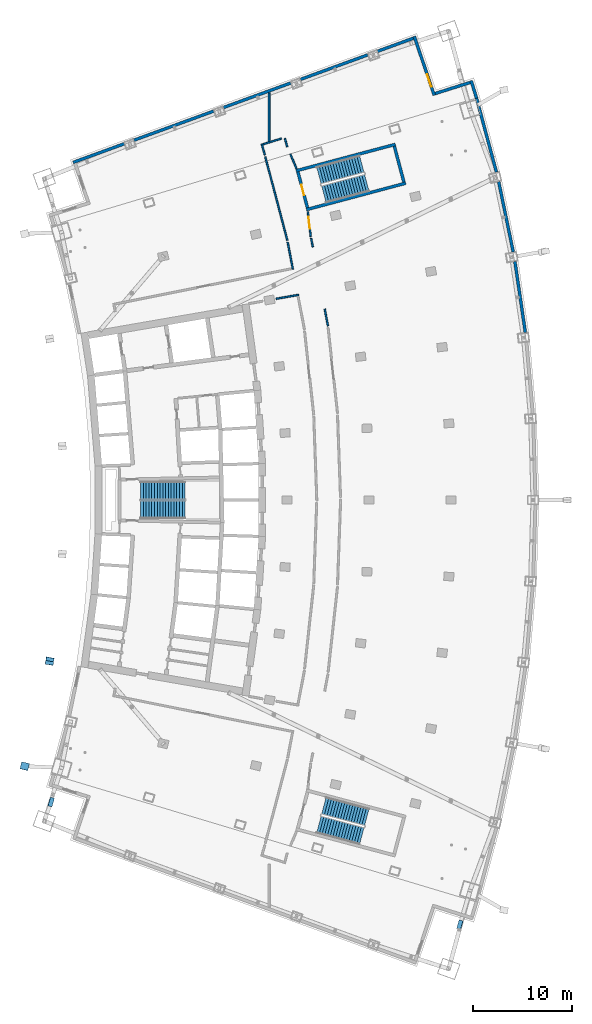
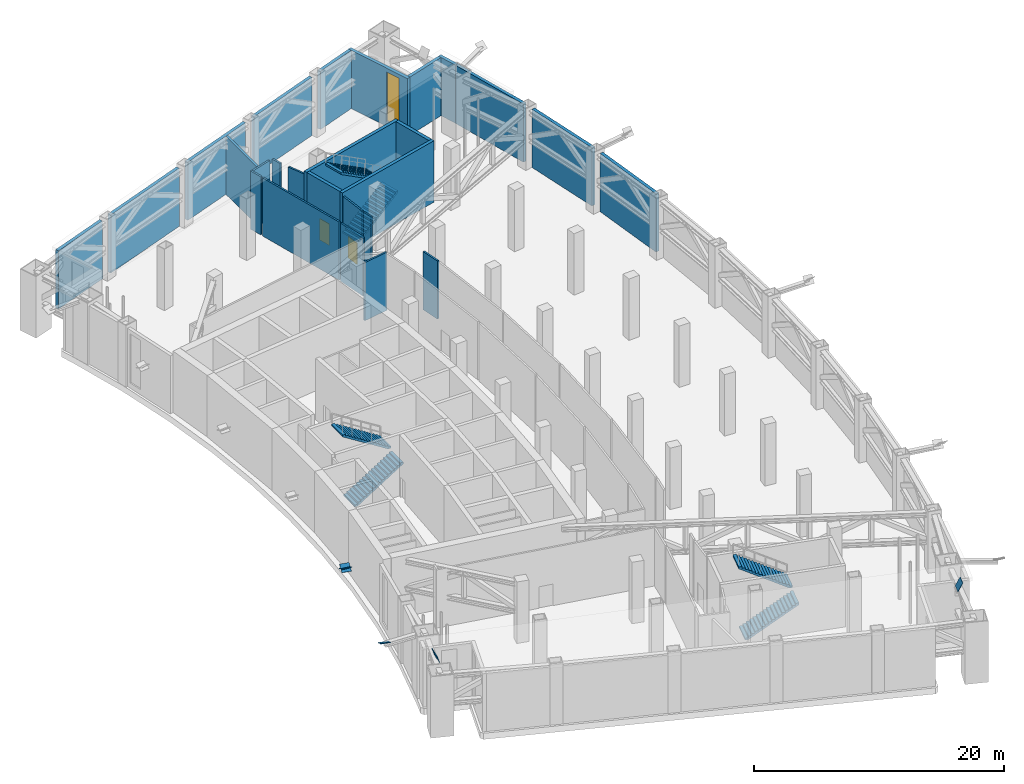
# One storey, part 19 of 26: 26 walls, 6 stair flights, 5 discrete accessories, 2 doors, 1 window, 3 openings, 3 elements without a shape of their own.
"""IFC4 building model written with IfcOpenShell, lengths in metres."""

from ifc_helpers import new_model, si_unit, direction, frame, frame_2d, origin, origin_2d, place, context, subcontext, project, spatial, polyline, rectangle, outline, extrude, material, layer, layer_set, material_profile, profile_set, type_object, element, fill, aggregate, save


model = new_model("IFC4")

# Units and contexts
model_context = context("Model", 3, precision=1e-05, world=origin(), true_north=direction((0.0, 1.0)))
body_context = subcontext(model_context, "Body", "Model", "MODEL_VIEW")
ifc_project = project(units=[si_unit("LENGTHUNIT", "METRE"), si_unit("AREAUNIT", "SQUARE_METRE"), si_unit("VOLUMEUNIT", "CUBIC_METRE"), si_unit("PLANEANGLEUNIT", "RADIAN"), si_unit("MASSUNIT", "GRAM", prefix="KILO")], contexts=[model_context])

# Site, building, storey
site_placement = place(None, origin())
site = spatial("IfcSite", under=ifc_project, at=site_placement, CompositionType="ELEMENT")
building_placement = place(site_placement, origin())
building = spatial("IfcBuilding", under=site, at=building_placement, Name="Alderwake Tower", CompositionType="ELEMENT")
storey_placement = place(building_placement, frame((0.0, 0.0, 132.800048828125)))
storey = spatial("IfcBuildingStorey", under=building, at=storey_placement, Name="L32", CompositionType="ELEMENT", Elevation=132.800048828125)

# Walls
ifc_material_1 = material(Name="Concrete C70/85", Category="concrete")
ifc_layer_1 = layer(ifc_material_1, 0.300048828125)
ifc_layer_set_1 = layer_set([ifc_layer_1], Name="Core wall stair enclosure 300 C70-85")
wall_type_1 = type_object("IfcWallType", Name="Core wall stair enclosure 300 C70-85", PredefinedType="SHEAR", material=ifc_layer_set_1)
for number, where, z_axis, x_axis, name in (
    (1, (36.71142578125, 94.182373046875, 0.0), (0.0, 0.0, 1.0), (0.966309214305, 0.257383958996, 0.0), "Core wall CW.082"),
    (2, (37.75390625, 90.268798828125, 0.0), (0.0, 0.0, 1.0), (0.966309214305, 0.257383958996, 0.0), "Core wall CW.084"),
):
    element("IfcWall", number, at=place(storey_placement, frame(where, z_axis=z_axis, x_axis=x_axis)), inside=storey, type_object=wall_type_1, Name=name, PredefinedType="SHEAR", context=body_context, shape_type="SweptSolid", body=[
        extrude(rectangle(XDim=10.360107421875, YDim=0.300048828125, at=frame_2d((5.18017578125, 0.0))), origin(), (0.0, 0.0, 1.0), 6.0),
    ])

# Wall, opening, door
wall_1_placement = place(storey_placement, frame((37.8603515625, 90.452392578125, 0.0), z_axis=(0.0, 0.0, 1.0), x_axis=(-0.257411420208, 0.966301899381, 0.0)))
wall_1 = element("IfcWall", 3, at=wall_1_placement, inside=storey, type_object=wall_type_1, Name="Core wall CW.083", PredefinedType="SHEAR", context=body_context, shape_type="SweptSolid", body=[
    extrude(rectangle(XDim=3.750244140625, YDim=0.300048828125, at=frame_2d((1.875, 0.0))), origin(), (0.0, 0.0, 1.0), 6.0),
])
opening_1_placement = place(wall_1_placement, frame((1.324951171875, 0.0, 0.0)))
opening_1 = element("IfcOpeningElement", 4, at=opening_1_placement, cuts=wall_1, Name="Opening C062", PredefinedType="OPENING", context=body_context, shape_type="SweptSolid", body=[
    extrude(rectangle(XDim=1.10009765625, YDim=2.10009765625, at=frame_2d((0.550048828125, 1.050048828125))), frame((0.0, 0.159912109375, 0.0), z_axis=(0.0, -1.0, 0.0), x_axis=(1.0, 0.0, 0.0)), (0.0, 0.0, 1.0), 0.320068359375),
])
ifc_material_2 = material(Name="Steel-framed fire door leaf", Category="steel")
door_type_1 = type_object("IfcDoorType", Name="Core stair door 1100 fire-rated", OperationType="SINGLE_SWING_LEFT", PredefinedType="DOOR", material=ifc_material_2)
door_1_placement = place(opening_1_placement, origin())
door_1 = element("IfcDoor", 5, at=door_1_placement, inside=storey, type_object=door_type_1, Name="Stair door", OperationType="SINGLE_SWING_RIGHT", OverallHeight=2.10009765625, OverallWidth=1.10009765625, PredefinedType="DOOR", context=body_context, shape_type="SweptSolid", body=[
    extrude(rectangle(XDim=1.10009765625, YDim=2.10009765625, at=frame_2d((0.550048828125, 1.050048828125))), frame((0.0, 0.02490234375, 0.0), z_axis=(0.0, -1.0, 0.0), x_axis=(1.0, 0.0, 0.0)), (0.0, 0.0, 1.0), 0.050048828125),
])
fill(opening_1, door_1)

# Walls
wall_2_placement = place(storey_placement, frame((47.581298828125, 93.041748046875, 0.0), z_axis=(0.0, 0.0, 1.0), x_axis=(-0.257366821694, 0.966313778796, 0.0)))
element("IfcWall", 6, at=wall_2_placement, inside=storey, type_object=wall_type_1, Name="Core wall CW.081", PredefinedType="SHEAR", context=body_context, shape_type="SweptSolid", body=[
    extrude(rectangle(XDim=3.749755859375, YDim=0.300048828125, at=frame_2d((1.875, 0.0))), origin(), (0.0, 0.0, 1.0), 6.0),
])
ifc_material_3 = material(Name="Gypsum board on metal studs, rated")
ifc_layer_2 = layer(ifc_material_3, 0.159912109375)
ifc_layer_set_2 = layer_set([ifc_layer_2], Name="Corridor wall 160")
wall_type_2 = type_object("IfcWallType", Name="Corridor wall 160", PredefinedType="PARTITIONING", material=ifc_layer_set_2)
wall_3_placement = place(storey_placement, frame((34.700927734375, 81.280029296875, 0.0), z_axis=(0.0, 0.0, 1.0), x_axis=(0.984741818636, 0.17402169586, 0.0)))
element("IfcWall", 7, at=wall_3_placement, inside=storey, type_object=wall_type_2, Name="WL/L32/W42", PredefinedType="PARTITIONING", context=body_context, shape_type="SweptSolid", body=[
    extrude(rectangle(XDim=2.298095703125, YDim=0.159912109375, at=frame_2d((1.14892578125, 0.0))), origin(), (0.0, 0.0, 1.0), 5.679931640625),
])
wall_4_placement = place(storey_placement, frame((33.251708984375, 96.89306640625, 0.0), z_axis=(0.0, 0.0, 1.0), x_axis=(0.265044741696, -0.964236114704, 0.0)))
element("IfcWall", 8, at=wall_4_placement, inside=storey, type_object=wall_type_2, Name="WL/L32/W09", PredefinedType="PARTITIONING", context=body_context, shape_type="SweptSolid", body=[
    extrude(rectangle(XDim=1.16796875, YDim=0.159912109375, at=frame_2d((0.583984375, 0.0))), origin(), (0.0, 0.0, 1.0), 5.679931640625),
])
wall_5_placement = place(storey_placement, frame((33.608154296875, 95.586181640625, 0.0), z_axis=(0.0, 0.0, 1.0), x_axis=(0.255868652374, -0.966711556118, 0.0)))
element("IfcWall", 9, at=wall_5_placement, inside=storey, type_object=wall_type_2, Name="WL/L32/W11", PredefinedType="PARTITIONING", context=body_context, shape_type="SweptSolid", body=[
    extrude(rectangle(XDim=8.700927734375, YDim=0.159912109375, at=frame_2d((4.3505859375, 0.0))), origin(), (0.0, 0.0, 1.0), 5.679931640625),
])
wall_6_placement = place(storey_placement, frame((35.244140625, 97.438720703125, 0.0), z_axis=(0.0, 0.0, 1.0), x_axis=(-0.953541805097, -0.301260727496, 0.0)))
element("IfcWall", 10, at=wall_6_placement, inside=storey, type_object=wall_type_2, Name="WL/L32/W13", PredefinedType="PARTITIONING", context=body_context, shape_type="SweptSolid", body=[
    extrude(rectangle(XDim=1.987060546875, YDim=0.159912109375, at=frame_2d((0.99365234375, 0.0))), origin(), (0.0, 0.0, 1.0), 5.679931640625),
])
wall_7_placement = place(storey_placement, frame((35.588623046875, 97.4423828125, 0.0), z_axis=(0.0, 0.0, 1.0), x_axis=(0.266369691689, -0.963870939156, 0.0)))
element("IfcWall", 11, at=wall_7_placement, inside=storey, type_object=wall_type_2, Name="WL/L32/W15", PredefinedType="PARTITIONING", context=body_context, shape_type="SweptSolid", body=[
    extrude(rectangle(XDim=0.869873046875, YDim=0.159912109375, at=frame_2d((0.43505859375, 0.0))), origin(), (0.0, 0.0, 1.0), 5.679931640625),
])
wall_8_placement = place(storey_placement, frame((36.1328125, 95.881103515625, 0.0), z_axis=(0.0, 0.0, 1.0), x_axis=(0.385363055582, -0.92276503802, 0.0)))
element("IfcWall", 12, at=wall_8_placement, inside=storey, type_object=wall_type_2, Name="WL/L32/W17", PredefinedType="PARTITIONING", context=body_context, shape_type="SweptSolid", body=[
    extrude(rectangle(XDim=1.64599609375, YDim=0.159912109375, at=frame_2d((0.822998046875, 0.0))), origin(), (0.0, 0.0, 1.0), 5.679931640625),
])
wall_9_placement = place(storey_placement, frame((35.8642578125, 86.989990234375, 0.0), z_axis=(0.0, 0.0, 1.0), x_axis=(0.188364648959, -0.982099159465, 0.0)))
element("IfcWall", 13, at=wall_9_placement, inside=storey, type_object=wall_type_2, Name="WL/L32/W19", PredefinedType="PARTITIONING", context=body_context, shape_type="SweptSolid", body=[
    extrude(rectangle(XDim=2.7763671875, YDim=0.159912109375, at=frame_2d((1.38818359375, 0.0))), origin(), (0.0, 0.0, 1.0), 5.679931640625),
])

# Wall, opening, door
wall_10_placement = place(storey_placement, frame((38.190185546875, 87.5595703125, 0.0), z_axis=(0.0, 0.0, 1.0), x_axis=(-0.115075180551, 0.99335678526, 0.0)))
wall_10 = element("IfcWall", 14, at=wall_10_placement, inside=storey, type_object=wall_type_2, Name="WL/L32/W31", PredefinedType="PARTITIONING", context=body_context, shape_type="SweptSolid", body=[
    extrude(rectangle(XDim=2.52685546875, YDim=0.159912109375, at=frame_2d((1.263427734375, 0.0))), origin(), (0.0, 0.0, 1.0), 5.679931640625),
])
opening_2_placement = place(wall_10_placement, frame((0.78125, 0.0, 0.0)))
opening_2 = element("IfcOpeningElement", 15, at=opening_2_placement, cuts=wall_10, Name="Opening L32-02", PredefinedType="OPENING", context=body_context, shape_type="SweptSolid", body=[
    extrude(rectangle(XDim=1.199951171875, YDim=2.10009765625, at=frame_2d((0.60009765625, 1.050048828125))), frame((0.0, 0.08984375, 0.0), z_axis=(0.0, -1.0, 0.0), x_axis=(1.0, 0.0, 0.0)), (0.0, 0.0, 1.0), 0.179931640625),
])
ifc_material_4 = material(Name="Steel door leaf in steel frame", Category="steel")
door_type_2 = type_object("IfcDoorType", Name="Plant room door 1200 steel", OperationType="SINGLE_SWING_LEFT", PredefinedType="DOOR", material=ifc_material_4)
door_2_placement = place(opening_2_placement, origin())
door_2 = element("IfcDoor", 16, at=door_2_placement, inside=storey, type_object=door_type_2, Name="DR/L32/02", OperationType="SINGLE_SWING_LEFT", OverallHeight=2.10009765625, OverallWidth=1.199951171875, PredefinedType="DOOR", context=body_context, shape_type="SweptSolid", body=[
    extrude(rectangle(XDim=1.199951171875, YDim=2.10009765625, at=frame_2d((0.60009765625, 1.050048828125))), frame((0.0, 0.02490234375, 0.0), z_axis=(0.0, -1.0, 0.0), x_axis=(1.0, 0.0, 0.0)), (0.0, 0.0, 1.0), 0.050048828125),
])
fill(opening_2, door_2)

# Walls
wall_11_placement = place(storey_placement, frame((38.39990234375, 86.4990234375, 0.0), z_axis=(0.0, 0.0, 1.0), x_axis=(-0.188654992631, 0.982043427632, 0.0)))
element("IfcWall", 17, at=wall_11_placement, inside=storey, type_object=wall_type_2, Name="WL/L32/W32", PredefinedType="PARTITIONING", context=body_context, shape_type="SweptSolid", body=[
    extrude(rectangle(XDim=0.894287109375, YDim=0.159912109375, at=frame_2d((0.447265625, 0.0))), origin(), (0.0, 0.0, 1.0), 5.679931640625),
])
wall_12_placement = place(storey_placement, frame((39.927001953125, 78.533447265625, 0.0), z_axis=(0.0, 0.0, 1.0), x_axis=(-0.187080006691, 0.982344680393, 0.0)))
element("IfcWall", 18, at=wall_12_placement, inside=storey, type_object=wall_type_2, Name="WL/L32/W38", PredefinedType="PARTITIONING", context=body_context, shape_type="SweptSolid", body=[
    extrude(rectangle(XDim=1.747314453125, YDim=0.159912109375, at=frame_2d((0.87353515625, 0.0))), origin(), (0.0, 0.0, 1.0), 5.679931640625),
])
ifc_material_5 = material(Name="Bronze metal cladding on lightweight framing")
ifc_layer_3 = layer(ifc_material_5, 0.300048828125)
ifc_layer_set_3 = layer_set([ifc_layer_3], Name="External wall EW3 plant enclosure")
wall_type_3 = type_object("IfcWallType", Name="External wall EW3 plant enclosure", PredefinedType="SOLIDWALL", material=ifc_layer_set_3)
for number, where, z_axis, x_axis, name in (
    (19, (59.820068359375, 77.888916015625, 0.0), (0.0, 0.0, 1.0), (-0.145322588421, 0.989384326384, 0.0), "External wall 19"),
    (20, (58.59765625, 86.01171875, 0.0), (0.0, 0.0, 1.0), (-0.202759964429, 0.979228470187, 0.0), "External wall 20"),
):
    element("IfcWall", number, at=place(storey_placement, frame(where, z_axis=z_axis, x_axis=x_axis)), inside=storey, type_object=wall_type_3, Name=name, PredefinedType="SOLIDWALL", context=body_context, shape_type="SweptSolid", body=[
        extrude(rectangle(XDim=7.21728515625, YDim=0.300048828125, at=frame_2d((3.608642578125, 0.0))), origin(), (0.0, 0.0, 1.0), 5.679931640625),
    ])
wall_13_placement = place(storey_placement, frame((56.90380859375, 94.04931640625, 0.0), z_axis=(0.0, 0.0, 1.0), x_axis=(-0.259520802976, 0.96573751756, 0.0)))
element("IfcWall", 21, at=wall_13_placement, inside=storey, type_object=wall_type_3, Name="External wall 21", PredefinedType="SOLIDWALL", context=body_context, shape_type="SweptSolid", body=[
    extrude(rectangle(XDim=7.7177734375, YDim=0.300048828125, at=frame_2d((3.85888671875, 0.0))), origin(), (0.0, 0.0, 1.0), 5.679931640625),
])
wall_14_placement = place(storey_placement, frame((54.9013671875, 101.5009765625, 0.0), z_axis=(0.0, 0.0, 1.0), x_axis=(-0.294502121104, 0.955650825702, 0.0)))
element("IfcWall", 22, at=wall_14_placement, inside=storey, type_object=wall_type_3, Name="External wall 22", PredefinedType="SOLIDWALL", context=body_context, shape_type="SweptSolid", body=[
    extrude(rectangle(XDim=1.8544921875, YDim=0.300048828125, at=frame_2d((0.92724609375, 0.0))), origin(), (0.0, 0.0, 1.0), 5.679931640625),
])
wall_15_placement = place(storey_placement, frame((54.25634765625, 103.08447265625, 0.0), z_axis=(0.0, 0.0, 1.0), x_axis=(-0.953466730622, -0.301498248083, 0.0)))
element("IfcWall", 23, at=wall_15_placement, inside=storey, type_object=wall_type_3, Name="External wall 23", PredefinedType="SOLIDWALL", context=body_context, shape_type="SweptSolid", body=[
    extrude(rectangle(XDim=3.694091796875, YDim=0.300048828125, at=frame_2d((1.84716796875, 0.0))), origin(), (0.0, 0.0, 1.0), 5.679931640625),
])

# Wall, opening, window
wall_16_placement = place(storey_placement, frame((50.63916015625, 101.783447265625, 0.0), z_axis=(0.0, 0.0, 1.0), x_axis=(-0.320895814133, 0.947114500191, 0.0)))
wall_16 = element("IfcWall", 24, at=wall_16_placement, inside=storey, type_object=wall_type_3, Name="External wall 24", PredefinedType="SOLIDWALL", context=body_context, shape_type="SweptSolid", body=[
    extrude(rectangle(XDim=6.28662109375, YDim=0.300048828125, at=frame_2d((3.143310546875, 0.0))), origin(), (0.0, 0.0, 1.0), 5.679931640625),
])
opening_3_placement = place(wall_16_placement, frame((0.921630859375, 0.0, 0.5)))
opening_3 = element("IfcOpeningElement", 25, at=opening_3_placement, cuts=wall_16, Name="Opening LV1", PredefinedType="OPENING", context=body_context, shape_type="SweptSolid", body=[
    extrude(rectangle(XDim=1.300048828125, YDim=4.800048828125, at=frame_2d((0.64990234375, 2.39990234375))), frame((0.0, 0.159912109375, 0.0), z_axis=(0.0, -1.0, 0.0), x_axis=(1.0, 0.0, 0.0)), (0.0, 0.0, 1.0), 0.320068359375),
])
ifc_material_6 = material(Name="Bronze anodised aluminium louvre", Category="aluminium")
window_type = type_object("IfcWindowType", Name="Louvre LV1 plant floor", PartitioningType="SINGLE_PANEL", PredefinedType="USERDEFINED", material=ifc_material_6)
window_placement = place(opening_3_placement, origin())
window = element("IfcWindow", 26, at=window_placement, inside=storey, type_object=window_type, Name="Louvre LV1 plant floor", ObjectType="LOUVRE", OverallHeight=4.800048828125, OverallWidth=1.300048828125, PartitioningType="SINGLE_PANEL", PredefinedType="USERDEFINED", context=body_context, shape_type="SweptSolid", body=[
    extrude(rectangle(XDim=1.300048828125, YDim=4.800048828125, at=frame_2d((0.64990234375, 2.39990234375))), frame((0.0, 0.030029296875, 0.0), z_axis=(0.0, -1.0, 0.0), x_axis=(1.0, 0.0, 0.0)), (0.0, 0.0, 1.0), 0.06005859375),
])
fill(opening_3, window)

# Walls
wall_17_placement = place(storey_placement, frame((48.529052734375, 107.544189453125, 0.0), z_axis=(0.0, 0.0, 1.0), x_axis=(-0.939372933228, -0.342897203718, 0.0)))
element("IfcWall", 27, at=wall_17_placement, inside=storey, type_object=wall_type_3, Name="External wall 25", PredefinedType="SOLIDWALL", context=body_context, shape_type="SweptSolid", body=[
    extrude(rectangle(XDim=3.837646484375, YDim=0.300048828125, at=frame_2d((1.9189453125, 0.0))), origin(), (0.0, 0.0, 1.0), 5.679931640625),
])
for number, where, z_axis, x_axis, name in (
    (28, (43.93408203125, 105.866943359375, 0.0), (0.0, 0.0, 1.0), (-0.939364762064, -0.342919587939, 0.0), "External wall 26"),
    (29, (36.16845703125, 103.0322265625, 0.0), (0.0, 0.0, 1.0), (-0.939375665231, -0.342889719256, 0.0), "External wall 27"),
):
    element("IfcWall", number, at=place(storey_placement, frame(where, z_axis=z_axis, x_axis=x_axis)), inside=storey, type_object=wall_type_3, Name=name, PredefinedType="SOLIDWALL", context=body_context, shape_type="SweptSolid", body=[
        extrude(rectangle(XDim=7.212646484375, YDim=0.300048828125, at=frame_2d((3.6064453125, 0.0))), origin(), (0.0, 0.0, 1.0), 5.679931640625),
    ])
wall_18_placement = place(storey_placement, frame((28.402587890625, 100.197509765625, 0.0), z_axis=(0.0, 0.0, 1.0), x_axis=(-0.939364770023, -0.342919566137, 0.0)))
element("IfcWall", 30, at=wall_18_placement, inside=storey, type_object=wall_type_3, Name="External wall 28", PredefinedType="SOLIDWALL", context=body_context, shape_type="SweptSolid", body=[
    extrude(rectangle(XDim=8.54541015625, YDim=0.300048828125, at=frame_2d((4.272705078125, 0.0))), origin(), (0.0, 0.0, 1.0), 5.679931640625),
])
wall_19_placement = place(storey_placement, frame((19.38427734375, 96.905517578125, 0.0), z_axis=(0.0, 0.0, 1.0), x_axis=(-0.939366897407, -0.342913738506, 0.0)))
element("IfcWall", 31, at=wall_19_placement, inside=storey, type_object=wall_type_3, Name="External wall 29", PredefinedType="SOLIDWALL", context=body_context, shape_type="SweptSolid", body=[
    extrude(rectangle(XDim=5.474365234375, YDim=0.300048828125, at=frame_2d((2.7373046875, 0.0))), origin(), (0.0, 0.0, 1.0), 5.679931640625),
])
ifc_material_7 = material(Name="Dense block masonry wall", Category="masonry")
ifc_layer_4 = layer(ifc_material_7, 0.199951171875)
ifc_layer_set_4 = layer_set([ifc_layer_4], Name="Party wall 200")
wall_type_4 = type_object("IfcWallType", Name="Party wall 200", PredefinedType="SOLIDWALL", material=ifc_layer_set_4)
wall_20_placement = place(storey_placement, frame((33.9990234375, 102.051025390625, 0.0), z_axis=(0.0, 0.0, 1.0), x_axis=(0.0, -1.0, 0.0)))
element("IfcWall", 32, at=wall_20_placement, inside=storey, type_object=wall_type_4, Name="WL/L32/W03", PredefinedType="SOLIDWALL", context=body_context, shape_type="SweptSolid", body=[
    extrude(rectangle(XDim=4.899169921875, YDim=0.199951171875, at=frame_2d((2.44970703125, 0.0))), origin(), (0.0, 0.0, 1.0), 5.679931640625),
])

# Stair, stair flights
ifc_material_8 = material(Name="Concrete C40/50", Category="concrete")
stair_type = type_object("IfcStairType", Name="Core exit stair", PredefinedType="HALF_TURN_STAIR", material=ifc_material_8)
stair_1_placement = place(storey_placement, origin())
stair_1 = element("IfcStair", 33, at=stair_1_placement, inside=storey, type_object=stair_type, Name="L32 Exit Stair B", PredefinedType="HALF_TURN_STAIR")
ifc_material_9 = material(Name="Concrete C40/50", Category="concrete")
ifc_layer_5 = layer(ifc_material_9, 0.14990234375)
ifc_layer_set_5 = layer_set([ifc_layer_5], Name="Core stair flight")
stair_flight_type = type_object("IfcStairFlightType", Name="Core stair flight", PredefinedType="STRAIGHT", material=ifc_layer_set_5)
stair_flight_1_placement = place(storey_placement, frame((21.0400390625, 60.02490234375, 0.0), z_axis=(0.0, 0.0, 1.0), x_axis=(1.0, 0.0, 0.0)))
stair_flight_1 = element("IfcStairFlight", 34, at=stair_flight_1_placement, type_object=stair_flight_type, Name="ST-B flight 1", NumberOfRisers=17, NumberOfTreads=16, PredefinedType="STRAIGHT", RiserHeight=0.176470588, TreadLength=0.28, context=body_context, shape_type="SweptSolid", body=[
    extrude(outline(polyline([(0.0, 0.0), (0.0, 0.176513671875), (0.280029296875, 0.176513671875), (0.280029296875, 0.35302734375), (0.56005859375, 0.35302734375), (0.56005859375, 0.529296875), (0.840087890625, 0.529296875), (0.840087890625, 0.705810546875), (1.1201171875, 0.705810546875), (1.1201171875, 0.88232421875), (1.39990234375, 0.88232421875), (1.39990234375, 1.058837890625), (1.679931640625, 1.058837890625), (1.679931640625, 1.2353515625), (1.9599609375, 1.2353515625), (1.9599609375, 1.411865234375), (2.239990234375, 1.411865234375), (2.239990234375, 1.588134765625), (2.52001953125, 1.588134765625), (2.52001953125, 1.7646484375), (2.800048828125, 1.7646484375), (2.800048828125, 1.941162109375), (3.080078125, 1.941162109375), (3.080078125, 2.11767578125), (3.360107421875, 2.11767578125), (3.360107421875, 2.294189453125), (3.639892578125, 2.294189453125), (3.639892578125, 2.470703125), (3.919921875, 2.470703125), (3.919921875, 2.64697265625), (4.199951171875, 2.64697265625), (4.199951171875, 2.823486328125), (4.47998046875, 2.823486328125), (4.47998046875, 3.0), (4.47998046875, 2.646240234375), (0.28125, 0.0), (0.0, 0.0)])), frame((0.0, 0.89990234375, 0.0), z_axis=(0.0, -1.0, 0.0), x_axis=(1.0, 0.0, 0.0)), (0.0, 0.0, 1.0), 1.800048828125),
])
stair_flight_2_placement = place(storey_placement, frame((25.52001953125, 61.97509765625, 3.0), z_axis=(0.0, 0.0, 1.0), x_axis=(-1.0, 0.0, 0.0)))
stair_flight_2 = element("IfcStairFlight", 35, at=stair_flight_2_placement, type_object=stair_flight_type, Name="ST-B flight 2", NumberOfRisers=17, NumberOfTreads=16, PredefinedType="STRAIGHT", RiserHeight=0.176470588, TreadLength=0.28, context=body_context, shape_type="SweptSolid", body=[
    extrude(outline(polyline([(0.0, 0.0), (0.0, 0.176513671875), (0.280029296875, 0.176513671875), (0.280029296875, 0.35302734375), (0.56005859375, 0.35302734375), (0.56005859375, 0.529296875), (0.840087890625, 0.529296875), (0.840087890625, 0.705810546875), (1.1201171875, 0.705810546875), (1.1201171875, 0.88232421875), (1.39990234375, 0.88232421875), (1.39990234375, 1.058837890625), (1.679931640625, 1.058837890625), (1.679931640625, 1.2353515625), (1.9599609375, 1.2353515625), (1.9599609375, 1.411865234375), (2.239990234375, 1.411865234375), (2.239990234375, 1.588134765625), (2.52001953125, 1.588134765625), (2.52001953125, 1.7646484375), (2.800048828125, 1.7646484375), (2.800048828125, 1.941162109375), (3.080078125, 1.941162109375), (3.080078125, 2.11767578125), (3.360107421875, 2.11767578125), (3.360107421875, 2.294189453125), (3.639892578125, 2.294189453125), (3.639892578125, 2.470703125), (3.919921875, 2.470703125), (3.919921875, 2.64697265625), (4.199951171875, 2.64697265625), (4.199951171875, 2.823486328125), (4.47998046875, 2.823486328125), (4.47998046875, 3.0), (4.47998046875, 2.646240234375), (0.28125, 0.0), (0.0, 0.0)])), frame((0.0, 0.89990234375, 0.0), z_axis=(0.0, -1.0, 0.0), x_axis=(1.0, 0.0, 0.0)), (0.0, 0.0, 1.0), 1.800048828125),
])
aggregate(stair_1, [stair_flight_1, stair_flight_2])

stair_2_placement = place(storey_placement, origin())
stair_2 = element("IfcStair", 36, at=stair_2_placement, inside=storey, type_object=stair_type, Name="L32 Exit Stair A", PredefinedType="HALF_TURN_STAIR")
stair_flight_3_placement = place(storey_placement, frame((39.512939453125, 91.823974609375, 0.0), z_axis=(0.0, 0.0, 1.0), x_axis=(0.966309627437, 0.257382407951, 0.0)))
stair_flight_3 = element("IfcStairFlight", 37, at=stair_flight_3_placement, type_object=stair_flight_type, Name="ST-A flight 1", NumberOfRisers=17, NumberOfTreads=16, PredefinedType="STRAIGHT", RiserHeight=0.176470588, TreadLength=0.28, context=body_context, shape_type="SweptSolid", body=[
    extrude(outline(polyline([(0.0, 0.0), (0.0, 0.176513671875), (0.280029296875, 0.176513671875), (0.280029296875, 0.35302734375), (0.56005859375, 0.35302734375), (0.56005859375, 0.529296875), (0.840087890625, 0.529296875), (0.840087890625, 0.705810546875), (1.1201171875, 0.705810546875), (1.1201171875, 0.88232421875), (1.39990234375, 0.88232421875), (1.39990234375, 1.058837890625), (1.679931640625, 1.058837890625), (1.679931640625, 1.2353515625), (1.9599609375, 1.2353515625), (1.9599609375, 1.411865234375), (2.239990234375, 1.411865234375), (2.239990234375, 1.588134765625), (2.52001953125, 1.588134765625), (2.52001953125, 1.7646484375), (2.800048828125, 1.7646484375), (2.800048828125, 1.941162109375), (3.080078125, 1.941162109375), (3.080078125, 2.11767578125), (3.360107421875, 2.11767578125), (3.360107421875, 2.294189453125), (3.639892578125, 2.294189453125), (3.639892578125, 2.470703125), (3.919921875, 2.470703125), (3.919921875, 2.64697265625), (4.199951171875, 2.64697265625), (4.199951171875, 2.823486328125), (4.47998046875, 2.823486328125), (4.47998046875, 3.0), (4.47998046875, 2.646240234375), (0.28125, 0.0), (0.0, 0.0)])), frame((0.0, 0.89990234375, 0.0), z_axis=(0.0, -1.0, 0.0), x_axis=(1.0, 0.0, 0.0)), (0.0, 0.0, 1.0), 1.800048828125),
])
stair_flight_4_placement = place(storey_placement, frame((43.340087890625, 94.861328125, 3.0), z_axis=(0.0, 0.0, 1.0), x_axis=(-0.966309627437, -0.257382407951, 0.0)))
stair_flight_4 = element("IfcStairFlight", 38, at=stair_flight_4_placement, type_object=stair_flight_type, Name="ST-A flight 2", NumberOfRisers=17, NumberOfTreads=16, PredefinedType="STRAIGHT", RiserHeight=0.176470588, TreadLength=0.28, context=body_context, shape_type="SweptSolid", body=[
    extrude(outline(polyline([(0.0, 0.0), (0.0, 0.176513671875), (0.280029296875, 0.176513671875), (0.280029296875, 0.35302734375), (0.56005859375, 0.35302734375), (0.56005859375, 0.529296875), (0.840087890625, 0.529296875), (0.840087890625, 0.705810546875), (1.1201171875, 0.705810546875), (1.1201171875, 0.88232421875), (1.39990234375, 0.88232421875), (1.39990234375, 1.058837890625), (1.679931640625, 1.058837890625), (1.679931640625, 1.2353515625), (1.9599609375, 1.2353515625), (1.9599609375, 1.411865234375), (2.239990234375, 1.411865234375), (2.239990234375, 1.588134765625), (2.52001953125, 1.588134765625), (2.52001953125, 1.7646484375), (2.800048828125, 1.7646484375), (2.800048828125, 1.941162109375), (3.080078125, 1.941162109375), (3.080078125, 2.11767578125), (3.360107421875, 2.11767578125), (3.360107421875, 2.294189453125), (3.639892578125, 2.294189453125), (3.639892578125, 2.470703125), (3.919921875, 2.470703125), (3.919921875, 2.64697265625), (4.199951171875, 2.64697265625), (4.199951171875, 2.823486328125), (4.47998046875, 2.823486328125), (4.47998046875, 3.0), (4.47998046875, 2.646240234375), (0.28125, 0.0), (0.0, 0.0)])), frame((0.0, 0.89990234375, 0.0), z_axis=(0.0, -1.0, 0.0), x_axis=(1.0, 0.0, 0.0)), (0.0, 0.0, 1.0), 1.800048828125),
])
aggregate(stair_2, [stair_flight_3, stair_flight_4])

stair_3_placement = place(storey_placement, origin())
stair_3 = element("IfcStair", 39, at=stair_3_placement, inside=storey, type_object=stair_type, Name="L32 Exit Stair C", PredefinedType="HALF_TURN_STAIR")
stair_flight_5_placement = place(storey_placement, frame((39.010986328125, 28.291748046875, 0.0), z_axis=(0.0, 0.0, 1.0), x_axis=(0.966309627437, -0.257382407951, 0.0)))
stair_flight_5 = element("IfcStairFlight", 40, at=stair_flight_5_placement, type_object=stair_flight_type, Name="ST-C flight 1", NumberOfRisers=17, NumberOfTreads=16, PredefinedType="STRAIGHT", RiserHeight=0.176470588, TreadLength=0.28, context=body_context, shape_type="SweptSolid", body=[
    extrude(outline(polyline([(0.0, 0.0), (0.0, 0.176513671875), (0.280029296875, 0.176513671875), (0.280029296875, 0.35302734375), (0.56005859375, 0.35302734375), (0.56005859375, 0.529296875), (0.840087890625, 0.529296875), (0.840087890625, 0.705810546875), (1.1201171875, 0.705810546875), (1.1201171875, 0.88232421875), (1.39990234375, 0.88232421875), (1.39990234375, 1.058837890625), (1.679931640625, 1.058837890625), (1.679931640625, 1.2353515625), (1.9599609375, 1.2353515625), (1.9599609375, 1.411865234375), (2.239990234375, 1.411865234375), (2.239990234375, 1.588134765625), (2.52001953125, 1.588134765625), (2.52001953125, 1.7646484375), (2.800048828125, 1.7646484375), (2.800048828125, 1.941162109375), (3.080078125, 1.941162109375), (3.080078125, 2.11767578125), (3.360107421875, 2.11767578125), (3.360107421875, 2.294189453125), (3.639892578125, 2.294189453125), (3.639892578125, 2.470703125), (3.919921875, 2.470703125), (3.919921875, 2.64697265625), (4.199951171875, 2.64697265625), (4.199951171875, 2.823486328125), (4.47998046875, 2.823486328125), (4.47998046875, 3.0), (4.47998046875, 2.646240234375), (0.28125, 0.0), (0.0, 0.0)])), frame((0.0, 0.89990234375, 0.0), z_axis=(0.0, -1.0, 0.0), x_axis=(1.0, 0.0, 0.0)), (0.0, 0.0, 1.0), 1.800048828125),
])
stair_flight_6_placement = place(storey_placement, frame((43.842041015625, 29.02294921875, 3.0), z_axis=(0.0, 0.0, 1.0), x_axis=(-0.966309627437, 0.257382407951, 0.0)))
stair_flight_6 = element("IfcStairFlight", 41, at=stair_flight_6_placement, type_object=stair_flight_type, Name="ST-C flight 2", NumberOfRisers=17, NumberOfTreads=16, PredefinedType="STRAIGHT", RiserHeight=0.176470588, TreadLength=0.28, context=body_context, shape_type="SweptSolid", body=[
    extrude(outline(polyline([(0.0, 0.0), (0.0, 0.176513671875), (0.280029296875, 0.176513671875), (0.280029296875, 0.35302734375), (0.56005859375, 0.35302734375), (0.56005859375, 0.529296875), (0.840087890625, 0.529296875), (0.840087890625, 0.705810546875), (1.1201171875, 0.705810546875), (1.1201171875, 0.88232421875), (1.39990234375, 0.88232421875), (1.39990234375, 1.058837890625), (1.679931640625, 1.058837890625), (1.679931640625, 1.2353515625), (1.9599609375, 1.2353515625), (1.9599609375, 1.411865234375), (2.239990234375, 1.411865234375), (2.239990234375, 1.588134765625), (2.52001953125, 1.588134765625), (2.52001953125, 1.7646484375), (2.800048828125, 1.7646484375), (2.800048828125, 1.941162109375), (3.080078125, 1.941162109375), (3.080078125, 2.11767578125), (3.360107421875, 2.11767578125), (3.360107421875, 2.294189453125), (3.639892578125, 2.294189453125), (3.639892578125, 2.470703125), (3.919921875, 2.470703125), (3.919921875, 2.64697265625), (4.199951171875, 2.64697265625), (4.199951171875, 2.823486328125), (4.47998046875, 2.823486328125), (4.47998046875, 3.0), (4.47998046875, 2.646240234375), (0.28125, 0.0), (0.0, 0.0)])), frame((0.0, 0.89990234375, 0.0), z_axis=(0.0, -1.0, 0.0), x_axis=(1.0, 0.0, 0.0)), (0.0, 0.0, 1.0), 1.800048828125),
])
aggregate(stair_3, [stair_flight_5, stair_flight_6])

# Discrete accessories
ifc_material_10 = material(Name="Steel ASTM A572 Grade 50", Category="steel")
ifc_material_profile_1 = material_profile(ifc_material_10, rectangle(XDim=0.800048828125, YDim=0.800048828125, at=origin_2d()), Name="BOX 800X800X50 cap")
ifc_profile_set_1 = profile_set([ifc_material_profile_1], Name="Steel ASTM A572 Grade 50")
discrete_accessory_type_1 = type_object("IfcDiscreteAccessoryType", Name="End cap plate BOX 800X800X50", PredefinedType="USERDEFINED", material=ifc_profile_set_1)
for number, where, z_axis, x_axis, name in (
    (42, (9.359619140625, 34.171630859375, 6.0), (-0.105869651339, -0.43162242469, -0.895820126716), (0.971210844098, -0.238221527798, 0.0), "End cap BRR3.1.2A S"),
    (43, (11.875, 44.755615234375, 6.0), (0.105495990526, 0.438214114494, -0.892658381376), (-0.972223637158, 0.234053838575, 0.0), "End cap BRR3.1.2B1 S"),
    (44, (11.875, 44.755615234375, 6.0), (-0.056826119483, -0.446490938798, -0.892981877596), (0.991997911724, -0.126254279674, 0.0), "End cap BRR3.1.4A S"),
):
    element("IfcDiscreteAccessory", number, at=place(storey_placement, frame(where, z_axis=z_axis, x_axis=x_axis)), inside=storey, type_object=discrete_accessory_type_1, Name=name, ObjectType="END CAP", PredefinedType="USERDEFINED", context=body_context, shape_type="SweptSolid", body=[
        extrude(rectangle(XDim=0.800048828125, YDim=0.800048828125, at=origin_2d()), origin(), (0.0, 0.0, 1.0), 0.030029296875),
    ])
ifc_material_11 = material(Name="Steel ASTM A572 Grade 50", Category="steel")
ifc_material_profile_2 = material_profile(ifc_material_11, rectangle(XDim=0.89990234375, YDim=0.89990234375, at=origin_2d()), Name="BOX 900X900X55 cap")
ifc_profile_set_2 = profile_set([ifc_material_profile_2], Name="Steel ASTM A572 Grade 50")
discrete_accessory_type_2 = type_object("IfcDiscreteAccessoryType", Name="End cap plate BOX 900X900X55", PredefinedType="USERDEFINED", material=ifc_profile_set_2)
discrete_accessory_1_placement = place(storey_placement, frame((12.031005859375, 30.550537109375, 6.0), z_axis=(-0.851629762001, 0.253851179058, -0.458569871847), x_axis=(-0.285656661543, -0.958332025822, 0.0)))
element("IfcDiscreteAccessory", 45, at=discrete_accessory_1_placement, inside=storey, type_object=discrete_accessory_type_2, Name="End cap BRS3.1.0A S", ObjectType="END CAP", PredefinedType="USERDEFINED", context=body_context, shape_type="SweptSolid", body=[
    extrude(rectangle(XDim=0.89990234375, YDim=0.89990234375, at=origin_2d()), origin(), (0.0, 0.0, 1.0), 0.02978515625),
])
discrete_accessory_2_placement = place(storey_placement, frame((53.215087890625, 18.185791015625, 6.0), z_axis=(0.857007231578, -0.253021182656, -0.448908549874), x_axis=(0.283155210121, 0.959074098796, 0.0)))
element("IfcDiscreteAccessory", 46, at=discrete_accessory_2_placement, inside=storey, type_object=discrete_accessory_type_2, Name="End cap BRS3.1.0B1 S", ObjectType="END CAP", PredefinedType="USERDEFINED", context=body_context, shape_type="SweptSolid", body=[
    extrude(rectangle(XDim=0.89990234375, YDim=0.89990234375, at=origin_2d()), origin(), (0.0, 0.0, 1.0), 0.030029296875),
])

save(model, "model.ifc")
